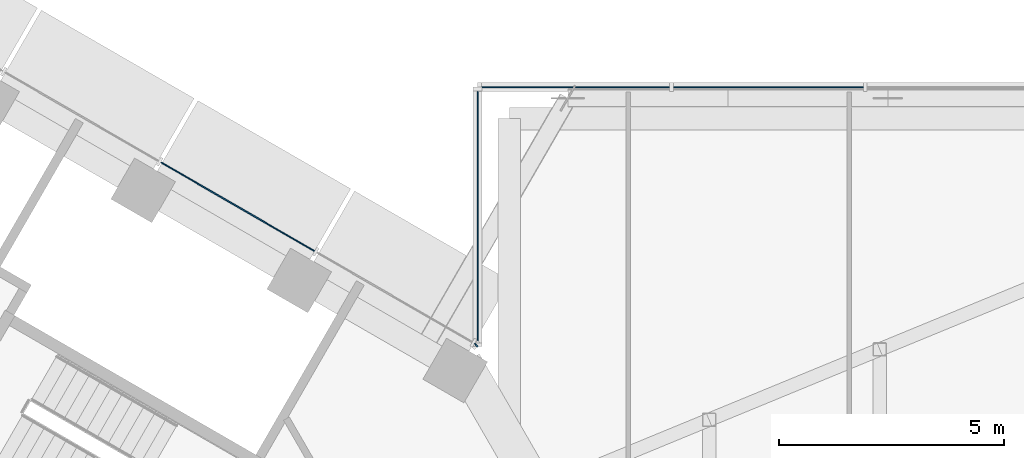
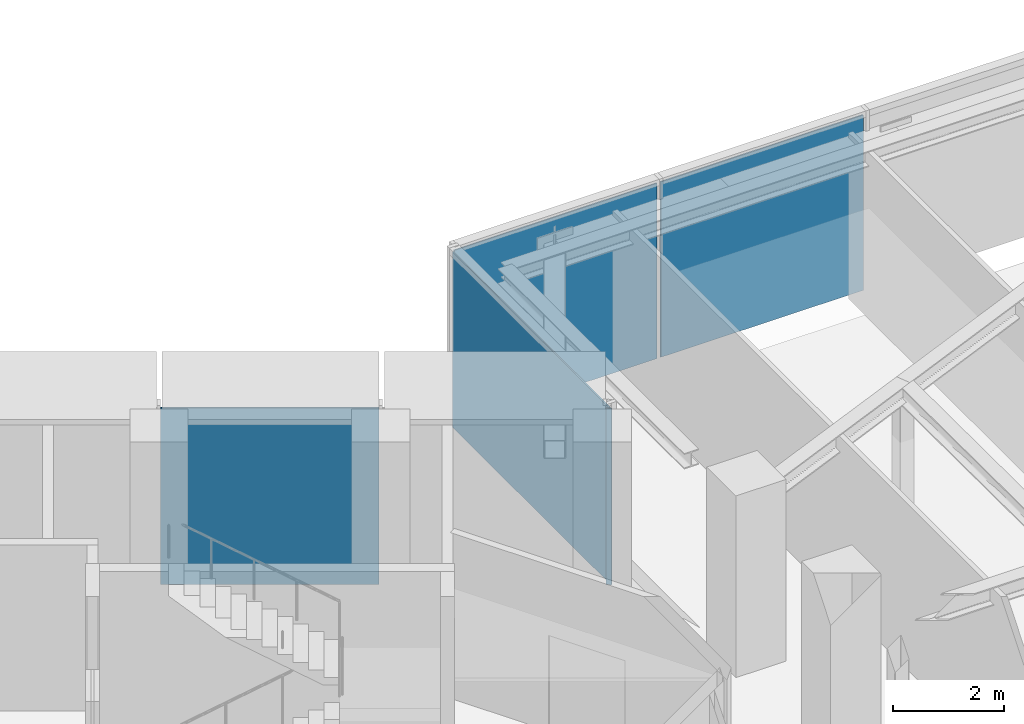
# One storey, part 15 of 24: 5 plates, 4 elements without a shape of their own.
"""IFC4 building model written with IfcOpenShell, lengths in metres."""

from ifc_helpers import new_model, si_unit, direction, frame, origin, origin_2d, place, context, subcontext, project, spatial, rectangle, extrude, material, layer, layer_set, type_object, element, aggregate, save


model = new_model("IFC4")

# Units and contexts
model_context = context("Model", 3, precision=1e-05, world=origin(), true_north=direction((0.0, 1.0)))
body_context = subcontext(model_context, "Body", "Model", "MODEL_VIEW")
ifc_project = project(units=[si_unit("LENGTHUNIT", "METRE"), si_unit("AREAUNIT", "SQUARE_METRE"), si_unit("VOLUMEUNIT", "CUBIC_METRE"), si_unit("PLANEANGLEUNIT", "RADIAN"), si_unit("MASSUNIT", "GRAM", prefix="KILO")], contexts=[model_context])

# Site, building, storey
site_placement = place(None, origin())
site = spatial("IfcSite", under=ifc_project, at=site_placement, CompositionType="ELEMENT")
building_placement = place(site_placement, origin())
building = spatial("IfcBuilding", under=site, at=building_placement, Name="Ayvan Gate Tower", CompositionType="ELEMENT")
storey_placement = place(building_placement, frame((0.0, 0.0, 128.5)))
storey = spatial("IfcBuildingStorey", under=building, at=storey_placement, Name="L34", CompositionType="ELEMENT", Elevation=128.5)

# Curtain wall, plate
ifc_material_1 = material(Name="Bronze anodised aluminium", Category="aluminium")
ifc_layer_1 = layer(ifc_material_1, 0.199951171875)
ifc_layer_set_1 = layer_set([ifc_layer_1], Name="Bronze anodised aluminium")
curtain_wall_type_1 = type_object("IfcCurtainWallType", Name="Stick curtain wall CW-1", PredefinedType="NOTDEFINED", material=ifc_layer_set_1)
curtain_wall_1_placement = place(storey_placement, origin())
curtain_wall_1 = element("IfcCurtainWall", 1, at=curtain_wall_1_placement, inside=storey, type_object=curtain_wall_type_1, Name="Stick curtain wall CW-1 L34", PredefinedType="NOTDEFINED")
ifc_material_2 = material(Name="Clear low-iron laminated glass", Category="glass")
ifc_layer_2 = layer(ifc_material_2, 0.028076171875)
ifc_layer_set_2 = layer_set([ifc_layer_2], Name="Clear low-iron laminated glass")
plate_type_1 = type_object("IfcPlateType", Name="Stick curtain wall CW-1 glass panel", PredefinedType="CURTAIN_PANEL", material=ifc_layer_set_2)
plate_1_placement = place(storey_placement, frame((13.158935546875, 14.7958984375, 0.0), z_axis=(0.0, 0.0, 1.0), x_axis=(-0.866025403784, 0.5, 0.0)))
plate_1 = element("IfcPlate", 2, at=plate_1_placement, type_object=plate_type_1, Name="CW-1 glass panel 2", PredefinedType="CURTAIN_PANEL", context=body_context, shape_type="SweptSolid", body=[
    extrude(rectangle(XDim=3.93896484375, YDim=0.028076171875, at=origin_2d()), origin(), (0.0, 0.0, 1.0), 3.8798828125),
])
aggregate(curtain_wall_1, [plate_1])

# Curtain wall, plates
ifc_layer_3 = layer(ifc_material_1, 0.199951171875)
ifc_layer_set_3 = layer_set([ifc_layer_3], Name="Bronze anodised aluminium")
curtain_wall_type_2 = type_object("IfcCurtainWallType", Name="Stick curtain wall CW-4", PredefinedType="NOTDEFINED", material=ifc_layer_set_3)
curtain_wall_2_placement = place(storey_placement, origin())
curtain_wall_2 = element("IfcCurtainWall", 3, at=curtain_wall_2_placement, inside=storey, type_object=curtain_wall_type_2, Name="Stick curtain wall CW-4 L34", PredefinedType="NOTDEFINED")
ifc_material_3 = material(Name="Pale anodised aluminium composite panel", Category="aluminium")
ifc_layer_4 = layer(ifc_material_3, 0.028076171875)
ifc_layer_set_4 = layer_set([ifc_layer_4], Name="Pale anodised aluminium composite panel")
plate_type_2 = type_object("IfcPlateType", Name="Stick curtain wall CW-4 solid panel", PredefinedType="CURTAIN_PANEL", material=ifc_layer_set_4)
plate_2_placement = place(storey_placement, frame((24.935546875, 17.449951171875, 0.0), z_axis=(0.0, 0.0, 1.0), x_axis=(-1.0, 0.0, 0.0)))
plate_2 = element("IfcPlate", 4, at=plate_2_placement, type_object=plate_type_2, Name="CW-4 solid panel 3", PredefinedType="CURTAIN_PANEL", context=body_context, shape_type="SweptSolid", body=[
    extrude(rectangle(XDim=4.219970703125, YDim=0.028076171875, at=origin_2d()), origin(), (0.0, 0.0, 1.0), 3.860107421875),
])
plate_3_placement = place(storey_placement, frame((20.635498046875, 17.449951171875, 0.0), z_axis=(0.0, 0.0, 1.0), x_axis=(-1.0, 0.0, 0.0)))
plate_3 = element("IfcPlate", 5, at=plate_3_placement, type_object=plate_type_2, Name="CW-4 solid panel 4", PredefinedType="CURTAIN_PANEL", context=body_context, shape_type="SweptSolid", body=[
    extrude(rectangle(XDim=4.219970703125, YDim=0.028076171875, at=origin_2d()), origin(), (0.0, 0.0, 1.0), 3.860107421875),
])
aggregate(curtain_wall_2, [plate_2, plate_3])

# Curtain wall, plate
curtain_wall_3_placement = place(storey_placement, origin())
curtain_wall_3 = element("IfcCurtainWall", 6, at=curtain_wall_3_placement, inside=storey, type_object=curtain_wall_type_2, Name="Stick curtain wall CW-4 L34", PredefinedType="NOTDEFINED")
plate_4_placement = place(storey_placement, frame((18.485595703125, 14.570556640625, 0.0), z_axis=(0.0, 0.0, 1.0), x_axis=(0.0, -1.0, 0.0)))
plate_4 = element("IfcPlate", 7, at=plate_4_placement, type_object=plate_type_2, Name="CW-4 solid panel 1", PredefinedType="CURTAIN_PANEL", context=body_context, shape_type="SweptSolid", body=[
    extrude(rectangle(XDim=5.67919921875, YDim=0.028076171875, at=origin_2d()), origin(), (0.0, 0.0, 1.0), 3.860107421875),
])
aggregate(curtain_wall_3, [plate_4])

ifc_layer_5 = layer(ifc_material_1, 0.199951171875)
ifc_layer_set_5 = layer_set([ifc_layer_5], Name="Bronze anodised aluminium")
curtain_wall_type_3 = type_object("IfcCurtainWallType", Name="Stick curtain wall CW-6", PredefinedType="NOTDEFINED", material=ifc_layer_set_5)
curtain_wall_4_placement = place(storey_placement, origin())
curtain_wall_4 = element("IfcCurtainWall", 8, at=curtain_wall_4_placement, inside=storey, type_object=curtain_wall_type_3, Name="Stick curtain wall CW-6 L34", PredefinedType="NOTDEFINED")
ifc_layer_6 = layer(ifc_material_2, 0.028076171875)
ifc_layer_set_6 = layer_set([ifc_layer_6], Name="Clear low-iron laminated glass")
plate_type_3 = type_object("IfcPlateType", Name="Stick curtain wall CW-6 glass panel", PredefinedType="CURTAIN_PANEL", material=ifc_layer_set_6)
plate_5_placement = place(storey_placement, frame((18.450439453125, 11.72607421875, 0.0), z_axis=(0.0, 0.0, 1.0), x_axis=(-0.707106781187, 0.707106781187, 0.0)))
plate_5 = element("IfcPlate", 9, at=plate_5_placement, type_object=plate_type_3, Name="CW-6 glass panel 1", PredefinedType="CURTAIN_PANEL", context=body_context, shape_type="SweptSolid", body=[
    extrude(rectangle(XDim=0.099365234375, YDim=0.028076171875, at=origin_2d()), origin(), (0.0, 0.0, 1.0), 3.8798828125),
])
aggregate(curtain_wall_4, [plate_5])

save(model, "model.ifc")
